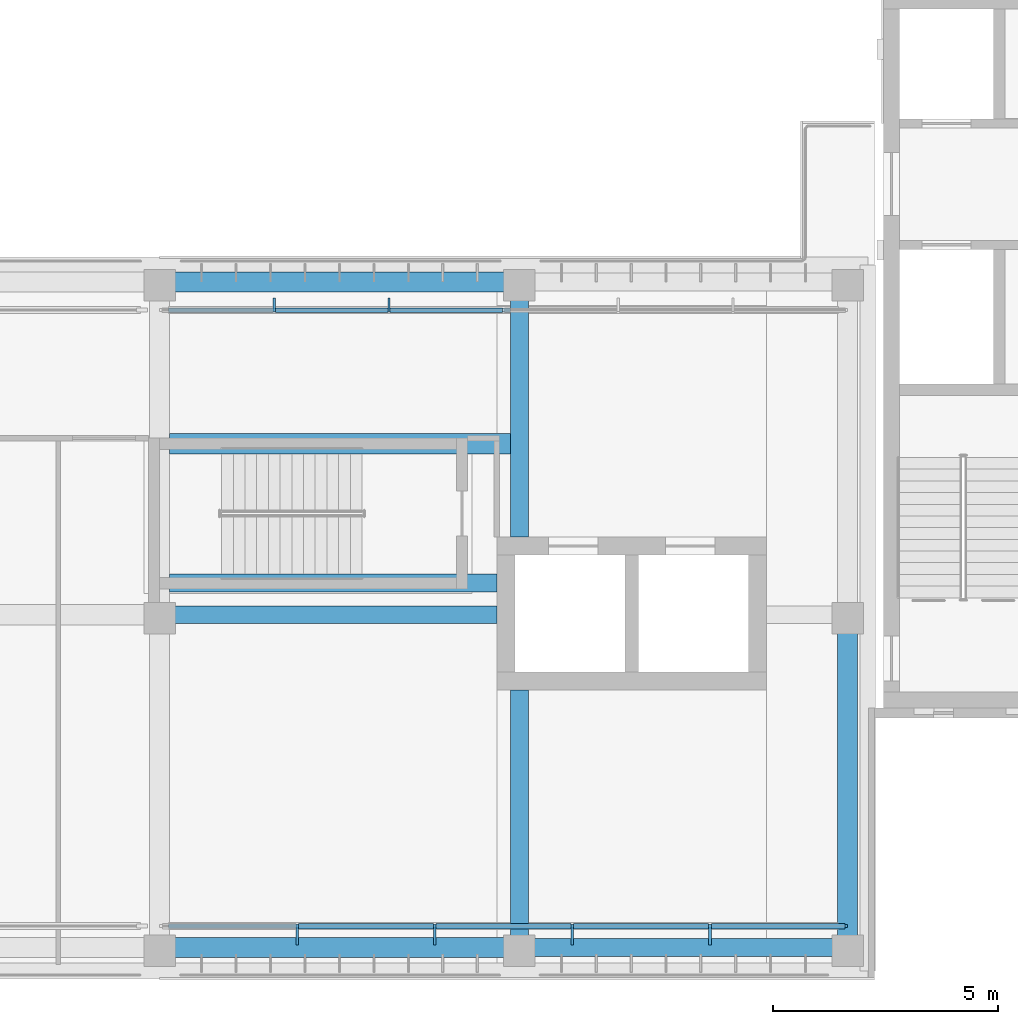
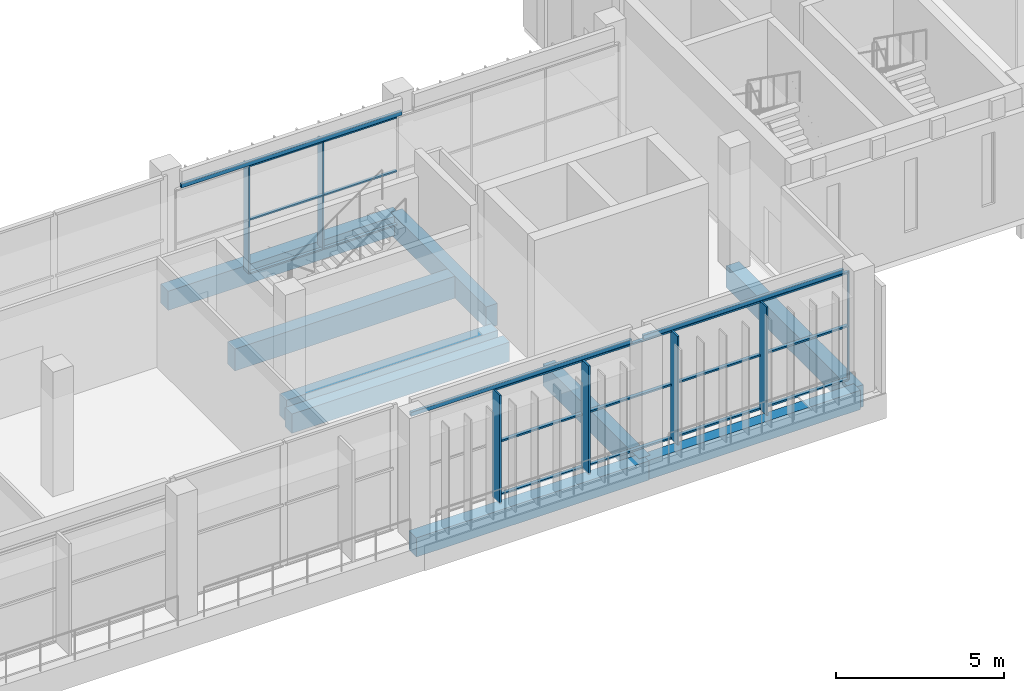
# One storey, part 17 of 46: 25 members, 12 beams, 2 elements without a shape of their own.
"""IFC4 building model written with IfcOpenShell, lengths in metres."""

from ifc_helpers import new_model, si_unit, direction, frame, origin, origin_2d, place, context, subcontext, project, spatial, rectangle, hollow_rectangle, extrude, material, material_profile, profile_set, type_object, element, aggregate, save


model = new_model("IFC4")

# Units and contexts
model_context = context("Model", 3, precision=1e-05, world=origin(), true_north=direction((0.0, 1.0)))
body_context = subcontext(model_context, "Body", "Model", "MODEL_VIEW")
ifc_project = project(units=[si_unit("LENGTHUNIT", "METRE"), si_unit("AREAUNIT", "SQUARE_METRE"), si_unit("VOLUMEUNIT", "CUBIC_METRE"), si_unit("PLANEANGLEUNIT", "RADIAN"), si_unit("MASSUNIT", "GRAM", prefix="KILO")], contexts=[model_context])

# Site, building, storey
site_placement = place(None, origin())
site = spatial("IfcSite", under=ifc_project, at=site_placement, CompositionType="ELEMENT")
building_placement = place(site_placement, origin())
building = spatial("IfcBuilding", under=site, at=building_placement, Name="Lantern Court Media Centre", CompositionType="ELEMENT")
storey_placement = place(building_placement, frame((0.0, 0.0, 28.800048828125)))
storey = spatial("IfcBuildingStorey", under=building, at=storey_placement, Name="L06", CompositionType="ELEMENT", Elevation=28.800048828125)

# Curtain wall, members
ifc_material_1 = material(Name="Curtain wall bay 2400")
curtain_wall_type_1 = type_object("IfcCurtainWallType", Name="Curtain wall bay 2400", PredefinedType="NOTDEFINED", material=ifc_material_1)
curtain_wall_1_placement = place(storey_placement, origin())
curtain_wall_1 = element("IfcCurtainWall", 1, at=curtain_wall_1_placement, inside=storey, type_object=curtain_wall_type_1, Name="Curtain wall S inner L06", PredefinedType="NOTDEFINED")
ifc_material_2 = material(Name="Anodised aluminium", Category="aluminium")
ifc_material_profile_1 = material_profile(ifc_material_2, rectangle(XDim=0.300048828125, YDim=0.050048828125, at=origin_2d()), Name="AL 50x300")
ifc_profile_set_1 = profile_set([ifc_material_profile_1], Name="Anodised aluminium")
member_type_1 = type_object("IfcMemberType", Name="Curtain wall mullion 50x300", PredefinedType="MULLION", material=ifc_profile_set_1)
member_1_placement = place(storey_placement, frame((66.550048828125, 56.969970703125, 0.0), z_axis=(0.0, 0.0, 1.0), x_axis=(0.0, 1.0, 0.0)))
member_1 = element("IfcMember", 2, at=member_1_placement, type_object=member_type_1, Name="CW2 mullion 2", PredefinedType="MULLION", context=body_context, shape_type="SweptSolid", body=[
    extrude(rectangle(XDim=0.300048828125, YDim=0.050048828125, at=origin_2d()), origin(), (0.0, 0.0, 1.0), 3.949951171875),
])
member_2_placement = place(storey_placement, frame((69.10009765625, 56.969970703125, 0.0), z_axis=(0.0, 0.0, 1.0), x_axis=(0.0, 1.0, 0.0)))
member_2 = element("IfcMember", 3, at=member_2_placement, type_object=member_type_1, Name="CW2 mullion 3", PredefinedType="MULLION", context=body_context, shape_type="SweptSolid", body=[
    extrude(rectangle(XDim=0.300048828125, YDim=0.050048828125, at=origin_2d()), origin(), (0.0, 0.0, 1.0), 3.949951171875),
])

ifc_material_3 = material(Name="Curtain wall bay 3000")
curtain_wall_type_2 = type_object("IfcCurtainWallType", Name="Curtain wall bay 3000", PredefinedType="NOTDEFINED", material=ifc_material_3)
curtain_wall_2_placement = place(storey_placement, origin())
curtain_wall_2 = element("IfcCurtainWall", 4, at=curtain_wall_2_placement, inside=storey, type_object=curtain_wall_type_2, Name="Curtain wall S outer L06", PredefinedType="NOTDEFINED")
ifc_material_profile_2 = material_profile(ifc_material_2, rectangle(XDim=0.449951171875, YDim=0.06005859375, at=origin_2d()), Name="AL 60x450")
ifc_profile_set_2 = profile_set([ifc_material_profile_2], Name="Anodised aluminium")
member_type_2 = type_object("IfcMemberType", Name="Curtain wall mullion 60x450", PredefinedType="MULLION", material=ifc_profile_set_2)
member_3_placement = place(storey_placement, frame((67.06005859375, 42.955078125, 0.0), z_axis=(0.0, 0.0, 1.0), x_axis=(0.0, 1.0, 0.0)))
member_3 = element("IfcMember", 5, at=member_3_placement, type_object=member_type_2, Name="CW1 mullion 2", PredefinedType="MULLION", context=body_context, shape_type="SweptSolid", body=[
    extrude(rectangle(XDim=0.449951171875, YDim=0.06005859375, at=origin_2d()), origin(), (0.0, 0.0, 1.0), 3.949951171875),
])
member_4_placement = place(storey_placement, frame((70.1201171875, 42.955078125, 0.0), z_axis=(0.0, 0.0, 1.0), x_axis=(0.0, 1.0, 0.0)))
member_4 = element("IfcMember", 6, at=member_4_placement, type_object=member_type_2, Name="CW1 mullion 3", PredefinedType="MULLION", context=body_context, shape_type="SweptSolid", body=[
    extrude(rectangle(XDim=0.449951171875, YDim=0.06005859375, at=origin_2d()), origin(), (0.0, 0.0, 1.0), 3.949951171875),
])
member_5_placement = place(storey_placement, frame((73.179931640625, 42.955078125, 0.0), z_axis=(0.0, 0.0, 1.0), x_axis=(0.0, 1.0, 0.0)))
member_5 = element("IfcMember", 7, at=member_5_placement, type_object=member_type_2, Name="CW1 mullion 4", PredefinedType="MULLION", context=body_context, shape_type="SweptSolid", body=[
    extrude(rectangle(XDim=0.449951171875, YDim=0.06005859375, at=origin_2d()), origin(), (0.0, 0.0, 1.0), 3.949951171875),
])
member_6_placement = place(storey_placement, frame((76.239990234375, 42.955078125, 0.0), z_axis=(0.0, 0.0, 1.0), x_axis=(0.0, 1.0, 0.0)))
member_6 = element("IfcMember", 8, at=member_6_placement, type_object=member_type_2, Name="CW1 mullion 5", PredefinedType="MULLION", context=body_context, shape_type="SweptSolid", body=[
    extrude(rectangle(XDim=0.449951171875, YDim=0.06005859375, at=origin_2d()), origin(), (0.0, 0.0, 1.0), 3.949951171875),
])
ifc_material_profile_3 = material_profile(ifc_material_2, rectangle(XDim=0.06005859375, YDim=0.06005859375, at=origin_2d()), Name="AL 60x60")
ifc_profile_set_3 = profile_set([ifc_material_profile_3], Name="Anodised aluminium")
member_type_3 = type_object("IfcMemberType", Name="Curtain wall mullion 60x60", PredefinedType="MULLION", material=ifc_profile_set_3)
member_7_placement = place(storey_placement, frame((79.27001953125, 43.14990234375, 0.0), z_axis=(0.0, 0.0, 1.0), x_axis=(0.0, 1.0, 0.0)))
member_7 = element("IfcMember", 9, at=member_7_placement, type_object=member_type_3, Name="CW1 mullion 6", PredefinedType="MULLION", context=body_context, shape_type="SweptSolid", body=[
    extrude(rectangle(XDim=0.06005859375, YDim=0.06005859375, at=origin_2d()), origin(), (0.0, 0.0, 1.0), 3.949951171875),
])

# Member
ifc_material_profile_4 = material_profile(ifc_material_2, rectangle(XDim=0.10009765625, YDim=0.050048828125, at=origin_2d()), Name="AL 50x100")
ifc_profile_set_4 = profile_set([ifc_material_profile_4], Name="Anodised aluminium")
member_type_4 = type_object("IfcMemberType", Name="Curtain wall transom 100x50", PredefinedType="USERDEFINED", material=ifc_profile_set_4)
member_8_placement = place(storey_placement, frame((66.574951171875, 56.85009765625, 0.02490234375), z_axis=(1.0, 0.0, 0.0), x_axis=(0.0, 1.0, 0.0)))
member_8 = element("IfcMember", 10, at=member_8_placement, type_object=member_type_4, Name="CW2 transom 2.1", ObjectType="TRANSOM", PredefinedType="USERDEFINED", context=body_context, shape_type="SweptSolid", body=[
    extrude(rectangle(XDim=0.10009765625, YDim=0.050048828125, at=origin_2d()), origin(), (0.0, 0.0, 1.0), 2.5),
])

member_9_placement = place(storey_placement, frame((66.574951171875, 56.85009765625, 1.974853515625), z_axis=(1.0, 0.0, 0.0), x_axis=(0.0, 1.0, 0.0)))
member_9 = element("IfcMember", 11, at=member_9_placement, type_object=member_type_4, Name="CW2 transom 2.2", ObjectType="TRANSOM", PredefinedType="USERDEFINED", context=body_context, shape_type="SweptSolid", body=[
    extrude(rectangle(XDim=0.10009765625, YDim=0.050048828125, at=origin_2d()), origin(), (0.0, 0.0, 1.0), 2.5),
])

member_10_placement = place(storey_placement, frame((66.574951171875, 56.85009765625, 3.925048828125), z_axis=(1.0, 0.0, 0.0), x_axis=(0.0, 1.0, 0.0)))
member_10 = element("IfcMember", 12, at=member_10_placement, type_object=member_type_4, Name="CW2 transom 2.3", ObjectType="TRANSOM", PredefinedType="USERDEFINED", context=body_context, shape_type="SweptSolid", body=[
    extrude(rectangle(XDim=0.10009765625, YDim=0.050048828125, at=origin_2d()), origin(), (0.0, 0.0, 1.0), 2.5),
])

member_11_placement = place(storey_placement, frame((69.125, 56.85009765625, 0.02490234375), z_axis=(1.0, 0.0, 0.0), x_axis=(0.0, 1.0, 0.0)))
member_11 = element("IfcMember", 13, at=member_11_placement, type_object=member_type_4, Name="CW2 transom 3.1", ObjectType="TRANSOM", PredefinedType="USERDEFINED", context=body_context, shape_type="SweptSolid", body=[
    extrude(rectangle(XDim=0.10009765625, YDim=0.050048828125, at=origin_2d()), origin(), (0.0, 0.0, 1.0), 2.5),
])

member_12_placement = place(storey_placement, frame((69.125, 56.85009765625, 1.974853515625), z_axis=(1.0, 0.0, 0.0), x_axis=(0.0, 1.0, 0.0)))
member_12 = element("IfcMember", 14, at=member_12_placement, type_object=member_type_4, Name="CW2 transom 3.2", ObjectType="TRANSOM", PredefinedType="USERDEFINED", context=body_context, shape_type="SweptSolid", body=[
    extrude(rectangle(XDim=0.10009765625, YDim=0.050048828125, at=origin_2d()), origin(), (0.0, 0.0, 1.0), 2.5),
])

member_13_placement = place(storey_placement, frame((69.125, 56.85009765625, 3.925048828125), z_axis=(1.0, 0.0, 0.0), x_axis=(0.0, 1.0, 0.0)))
member_13 = element("IfcMember", 15, at=member_13_placement, type_object=member_type_4, Name="CW2 transom 3.3", ObjectType="TRANSOM", PredefinedType="USERDEFINED", context=body_context, shape_type="SweptSolid", body=[
    extrude(rectangle(XDim=0.10009765625, YDim=0.050048828125, at=origin_2d()), origin(), (0.0, 0.0, 1.0), 2.5),
])

aggregate(curtain_wall_1, [member_1, member_2, member_8, member_9, member_10, member_11, member_12, member_13])

ifc_material_profile_5 = material_profile(ifc_material_2, rectangle(XDim=0.1201171875, YDim=0.06005859375, at=origin_2d()), Name="AL 60x120")
ifc_profile_set_5 = profile_set([ifc_material_profile_5], Name="Anodised aluminium")
member_type_5 = type_object("IfcMemberType", Name="Curtain wall transom 60x120", PredefinedType="USERDEFINED", material=ifc_profile_set_5)
member_14_placement = place(storey_placement, frame((67.090087890625, 43.14990234375, 0.030029296875), z_axis=(1.0, 0.0, 0.0), x_axis=(0.0, 1.0, 0.0)))
member_14 = element("IfcMember", 16, at=member_14_placement, type_object=member_type_5, Name="CW1 transom 2.1", ObjectType="TRANSOM", PredefinedType="USERDEFINED", context=body_context, shape_type="SweptSolid", body=[
    extrude(rectangle(XDim=0.1201171875, YDim=0.06005859375, at=origin_2d()), origin(), (0.0, 0.0, 1.0), 3.0),
])

member_15_placement = place(storey_placement, frame((67.090087890625, 43.14990234375, 1.974853515625), z_axis=(1.0, 0.0, 0.0), x_axis=(0.0, 1.0, 0.0)))
member_15 = element("IfcMember", 17, at=member_15_placement, type_object=member_type_5, Name="CW1 transom 2.2", ObjectType="TRANSOM", PredefinedType="USERDEFINED", context=body_context, shape_type="SweptSolid", body=[
    extrude(rectangle(XDim=0.1201171875, YDim=0.06005859375, at=origin_2d()), origin(), (0.0, 0.0, 1.0), 3.0),
])

member_16_placement = place(storey_placement, frame((67.090087890625, 43.14990234375, 3.919921875), z_axis=(1.0, 0.0, 0.0), x_axis=(0.0, 1.0, 0.0)))
member_16 = element("IfcMember", 18, at=member_16_placement, type_object=member_type_5, Name="CW1 transom 2.3", ObjectType="TRANSOM", PredefinedType="USERDEFINED", context=body_context, shape_type="SweptSolid", body=[
    extrude(rectangle(XDim=0.1201171875, YDim=0.06005859375, at=origin_2d()), origin(), (0.0, 0.0, 1.0), 3.0),
])

member_17_placement = place(storey_placement, frame((70.14990234375, 43.14990234375, 0.030029296875), z_axis=(1.0, 0.0, 0.0), x_axis=(0.0, 1.0, 0.0)))
member_17 = element("IfcMember", 19, at=member_17_placement, type_object=member_type_5, Name="CW1 transom 3.1", ObjectType="TRANSOM", PredefinedType="USERDEFINED", context=body_context, shape_type="SweptSolid", body=[
    extrude(rectangle(XDim=0.1201171875, YDim=0.06005859375, at=origin_2d()), origin(), (0.0, 0.0, 1.0), 3.0),
])

member_18_placement = place(storey_placement, frame((70.14990234375, 43.14990234375, 1.974853515625), z_axis=(1.0, 0.0, 0.0), x_axis=(0.0, 1.0, 0.0)))
member_18 = element("IfcMember", 20, at=member_18_placement, type_object=member_type_5, Name="CW1 transom 3.2", ObjectType="TRANSOM", PredefinedType="USERDEFINED", context=body_context, shape_type="SweptSolid", body=[
    extrude(rectangle(XDim=0.1201171875, YDim=0.06005859375, at=origin_2d()), origin(), (0.0, 0.0, 1.0), 3.0),
])

member_19_placement = place(storey_placement, frame((70.14990234375, 43.14990234375, 3.919921875), z_axis=(1.0, 0.0, 0.0), x_axis=(0.0, 1.0, 0.0)))
member_19 = element("IfcMember", 21, at=member_19_placement, type_object=member_type_5, Name="CW1 transom 3.3", ObjectType="TRANSOM", PredefinedType="USERDEFINED", context=body_context, shape_type="SweptSolid", body=[
    extrude(rectangle(XDim=0.1201171875, YDim=0.06005859375, at=origin_2d()), origin(), (0.0, 0.0, 1.0), 3.0),
])

member_20_placement = place(storey_placement, frame((73.2099609375, 43.14990234375, 0.030029296875), z_axis=(1.0, 0.0, 0.0), x_axis=(0.0, 1.0, 0.0)))
member_20 = element("IfcMember", 22, at=member_20_placement, type_object=member_type_5, Name="CW1 transom 4.1", ObjectType="TRANSOM", PredefinedType="USERDEFINED", context=body_context, shape_type="SweptSolid", body=[
    extrude(rectangle(XDim=0.1201171875, YDim=0.06005859375, at=origin_2d()), origin(), (0.0, 0.0, 1.0), 3.0),
])

member_21_placement = place(storey_placement, frame((73.2099609375, 43.14990234375, 1.974853515625), z_axis=(1.0, 0.0, 0.0), x_axis=(0.0, 1.0, 0.0)))
member_21 = element("IfcMember", 23, at=member_21_placement, type_object=member_type_5, Name="CW1 transom 4.2", ObjectType="TRANSOM", PredefinedType="USERDEFINED", context=body_context, shape_type="SweptSolid", body=[
    extrude(rectangle(XDim=0.1201171875, YDim=0.06005859375, at=origin_2d()), origin(), (0.0, 0.0, 1.0), 3.0),
])

member_22_placement = place(storey_placement, frame((73.2099609375, 43.14990234375, 3.919921875), z_axis=(1.0, 0.0, 0.0), x_axis=(0.0, 1.0, 0.0)))
member_22 = element("IfcMember", 24, at=member_22_placement, type_object=member_type_5, Name="CW1 transom 4.3", ObjectType="TRANSOM", PredefinedType="USERDEFINED", context=body_context, shape_type="SweptSolid", body=[
    extrude(rectangle(XDim=0.1201171875, YDim=0.06005859375, at=origin_2d()), origin(), (0.0, 0.0, 1.0), 3.0),
])

member_23_placement = place(storey_placement, frame((76.27001953125, 43.14990234375, 0.030029296875), z_axis=(1.0, 0.0, 0.0), x_axis=(0.0, 1.0, 0.0)))
member_23 = element("IfcMember", 25, at=member_23_placement, type_object=member_type_5, Name="CW1 transom 5.1", ObjectType="TRANSOM", PredefinedType="USERDEFINED", context=body_context, shape_type="SweptSolid", body=[
    extrude(rectangle(XDim=0.1201171875, YDim=0.06005859375, at=origin_2d()), origin(), (0.0, 0.0, 1.0), 2.969970703125),
])

member_24_placement = place(storey_placement, frame((76.27001953125, 43.14990234375, 1.974853515625), z_axis=(1.0, 0.0, 0.0), x_axis=(0.0, 1.0, 0.0)))
member_24 = element("IfcMember", 26, at=member_24_placement, type_object=member_type_5, Name="CW1 transom 5.2", ObjectType="TRANSOM", PredefinedType="USERDEFINED", context=body_context, shape_type="SweptSolid", body=[
    extrude(rectangle(XDim=0.1201171875, YDim=0.06005859375, at=origin_2d()), origin(), (0.0, 0.0, 1.0), 2.969970703125),
])

member_25_placement = place(storey_placement, frame((76.27001953125, 43.14990234375, 3.919921875), z_axis=(1.0, 0.0, 0.0), x_axis=(0.0, 1.0, 0.0)))
member_25 = element("IfcMember", 27, at=member_25_placement, type_object=member_type_5, Name="CW1 transom 5.3", ObjectType="TRANSOM", PredefinedType="USERDEFINED", context=body_context, shape_type="SweptSolid", body=[
    extrude(rectangle(XDim=0.1201171875, YDim=0.06005859375, at=origin_2d()), origin(), (0.0, 0.0, 1.0), 2.969970703125),
])

aggregate(curtain_wall_2, [member_3, member_4, member_5, member_6, member_7, member_14, member_15, member_16, member_17, member_18, member_19, member_20, member_21, member_22, member_23, member_24, member_25])

# Beams
ifc_material_4 = material(Name="Steel S355J2 (EN 10025-2)", Category="steel")
ifc_material_profile_6 = material_profile(ifc_material_4, hollow_rectangle(XDim=0.10009765625, YDim=0.14990234375, WallThickness=0.00634765625, InnerFilletRadius=0.00634765625, OuterFilletRadius=0.009521484375, at=origin_2d()), Name="Facade head lintel RHS 150x100x6.3")
ifc_profile_set_6 = profile_set([ifc_material_profile_6], Name="Steel S355J2 (EN 10025-2)")
beam_type_1 = type_object("IfcBeamType", Name="Facade head lintel RHS 150x100x6.3", PredefinedType="BEAM", material=ifc_profile_set_6)
beam_1_placement = place(storey_placement, frame((64.199951171875, 43.14990234375, 4.02490234375), z_axis=(1.0, 0.0, 0.0), x_axis=(0.0, 1.0, 0.0)))
element("IfcBeam", 28, at=beam_1_placement, inside=storey, type_object=beam_type_1, Name="Facade head lintel S L06", PredefinedType="BEAM", context=body_context, shape_type="SweptSolid", body=[
    extrude(hollow_rectangle(XDim=0.10009765625, YDim=0.14990234375, WallThickness=0.00634765625, InnerFilletRadius=0.00634765625, OuterFilletRadius=0.009521484375, at=origin_2d()), origin(), (0.0, 0.0, 1.0), 7.60009765625),
])
beam_2_placement = place(storey_placement, frame((72.199951171875, 43.14990234375, 4.02490234375), z_axis=(1.0, 0.0, 0.0), x_axis=(0.0, 1.0, 0.0)))
element("IfcBeam", 29, at=beam_2_placement, inside=storey, type_object=beam_type_1, Name="Facade head lintel S L06", PredefinedType="BEAM", context=body_context, shape_type="SweptSolid", body=[
    extrude(hollow_rectangle(XDim=0.10009765625, YDim=0.14990234375, WallThickness=0.00634765625, InnerFilletRadius=0.00634765625, OuterFilletRadius=0.009521484375, at=origin_2d()), origin(), (0.0, 0.0, 1.0), 6.900146484375),
])
beam_3_placement = place(storey_placement, frame((64.199951171875, 56.85009765625, 4.02490234375), z_axis=(1.0, 0.0, 0.0), x_axis=(0.0, 1.0, 0.0)))
element("IfcBeam", 30, at=beam_3_placement, inside=storey, type_object=beam_type_1, Name="Facade head lintel S L06", PredefinedType="BEAM", context=body_context, shape_type="SweptSolid", body=[
    extrude(hollow_rectangle(XDim=0.10009765625, YDim=0.14990234375, WallThickness=0.00634765625, InnerFilletRadius=0.00634765625, OuterFilletRadius=0.009521484375, at=origin_2d()), origin(), (0.0, 0.0, 1.0), 7.60009765625),
])
ifc_material_5 = material(Name="Concrete C35", Category="concrete")
ifc_material_profile_7 = material_profile(ifc_material_5, rectangle(XDim=0.39990234375, YDim=0.699951171875, at=origin_2d()), Name="RC 400x700")
ifc_profile_set_7 = profile_set([ifc_material_profile_7], Name="Concrete C35")
beam_type_2 = type_object("IfcBeamType", Name="RC BEAM 400x700", PredefinedType="BEAM", material=ifc_profile_set_7)
beam_4_placement = place(storey_placement, frame((72.0, 42.6728515625, -0.35009765625), z_axis=(1.0, 0.0, 0.0), x_axis=(0.0, 1.0, 0.0)))
element("IfcBeam", 31, at=beam_4_placement, inside=storey, type_object=beam_type_2, Name="LB-S-L06-0-6", PredefinedType="BEAM", context=body_context, shape_type="SweptSolid", body=[
    extrude(rectangle(XDim=0.39990234375, YDim=0.699951171875, at=origin_2d()), origin(), (0.0, 0.0, 1.0), 7.300048828125),
])
beam_5_placement = place(storey_placement, frame((64.0, 50.072998046875, -0.35009765625), z_axis=(1.0, 0.0, 0.0), x_axis=(0.0, 1.0, 0.0)))
element("IfcBeam", 32, at=beam_5_placement, inside=storey, type_object=beam_type_2, Name="LB-S-L06-1-5", PredefinedType="BEAM", context=body_context, shape_type="SweptSolid", body=[
    extrude(rectangle(XDim=0.39990234375, YDim=0.699951171875, at=origin_2d()), origin(), (0.0, 0.0, 1.0), 7.5),
])
ifc_material_profile_8 = material_profile(ifc_material_5, rectangle(XDim=0.39990234375, YDim=0.800048828125, at=origin_2d()), Name="RC 400x800")
ifc_profile_set_8 = profile_set([ifc_material_profile_8], Name="Concrete C35")
beam_type_3 = type_object("IfcBeamType", Name="RC BEAM 400x800", PredefinedType="BEAM", material=ifc_profile_set_8)
beam_6_placement = place(storey_placement, frame((72.0, 42.683349609375, -0.400146484375), z_axis=(0.0, 1.0, 0.0), x_axis=(-1.0, 0.0, 0.0)))
element("IfcBeam", 33, at=beam_6_placement, inside=storey, type_object=beam_type_3, Name="TB-S-L06-6-1", PredefinedType="BEAM", context=body_context, shape_type="SweptSolid", body=[
    extrude(rectangle(XDim=0.39990234375, YDim=0.800048828125, at=origin_2d()), origin(), (0.0, 0.0, 1.0), 5.716552734375),
])
beam_7_placement = place(storey_placement, frame((72.0, 51.800048828125, -0.400146484375), z_axis=(0.0, 1.0, 0.0), x_axis=(-1.0, 0.0, 0.0)))
element("IfcBeam", 34, at=beam_7_placement, inside=storey, type_object=beam_type_3, Name="TB-S-L06-6-11", PredefinedType="BEAM", context=body_context, shape_type="SweptSolid", body=[
    extrude(rectangle(XDim=0.39990234375, YDim=0.800048828125, at=origin_2d()), origin(), (0.0, 0.0, 1.0), 5.683349609375),
])
beam_8_placement = place(storey_placement, frame((71.5, 50.77490234375, -0.400146484375), z_axis=(-1.0, 0.0, 0.0), x_axis=(0.0, -1.0, 0.0)))
element("IfcBeam", 35, at=beam_8_placement, inside=storey, type_object=beam_type_3, Name="WB-V3-ST-E-L06-S", PredefinedType="BEAM", context=body_context, shape_type="SweptSolid", body=[
    extrude(rectangle(XDim=0.39990234375, YDim=0.800048828125, at=origin_2d()), origin(), (0.0, 0.0, 1.0), 7.280029296875),
])
ifc_material_profile_9 = material_profile(ifc_material_5, rectangle(XDim=0.449951171875, YDim=0.699951171875, at=origin_2d()), Name="RC 450x700")
ifc_profile_set_9 = profile_set([ifc_material_profile_9], Name="Concrete C35")
beam_type_4 = type_object("IfcBeamType", Name="RC BEAM 450x700", PredefinedType="BEAM", material=ifc_profile_set_9)
for number, where, z_axis, x_axis, name in (
    (36, (64.0, 42.6728515625, -0.35009765625), (1.0, 0.0, 0.0), (0.0, 1.0, 0.0), "LB-S-L06-0-5"),
    (37, (64.0, 57.472900390625, -0.35009765625), (1.0, 0.0, 0.0), (0.0, 1.0, 0.0), "LB-S-L06-2-5"),
):
    element("IfcBeam", number, at=place(storey_placement, frame(where, z_axis=z_axis, x_axis=x_axis)), inside=storey, type_object=beam_type_4, Name=name, PredefinedType="BEAM", context=body_context, shape_type="SweptSolid", body=[
        extrude(rectangle(XDim=0.449951171875, YDim=0.699951171875, at=origin_2d()), origin(), (0.0, 0.0, 1.0), 8.0),
    ])
ifc_material_profile_10 = material_profile(ifc_material_5, rectangle(XDim=0.449951171875, YDim=0.800048828125, at=origin_2d()), Name="RC 450x800")
ifc_profile_set_10 = profile_set([ifc_material_profile_10], Name="Concrete C35")
beam_type_5 = type_object("IfcBeamType", Name="RC BEAM 450x800", PredefinedType="BEAM", material=ifc_profile_set_10)
beam_9_placement = place(storey_placement, frame((79.300048828125, 42.683349609375, -0.400146484375), z_axis=(0.0, 1.0, 0.0), x_axis=(-1.0, 0.0, 0.0)))
element("IfcBeam", 38, at=beam_9_placement, inside=storey, type_object=beam_type_5, Name="TB-S-L06-7-1", PredefinedType="BEAM", context=body_context, shape_type="SweptSolid", body=[
    extrude(rectangle(XDim=0.449951171875, YDim=0.800048828125, at=origin_2d()), origin(), (0.0, 0.0, 1.0), 7.39990234375),
])
beam_10_placement = place(storey_placement, frame((71.800048828125, 53.875, -0.400146484375), z_axis=(-1.0, 0.0, 0.0), x_axis=(0.0, -1.0, 0.0)))
element("IfcBeam", 39, at=beam_10_placement, inside=storey, type_object=beam_type_5, Name="WB-V3-ST-E-L06-N", PredefinedType="BEAM", context=body_context, shape_type="SweptSolid", body=[
    extrude(rectangle(XDim=0.449951171875, YDim=0.800048828125, at=origin_2d()), origin(), (0.0, 0.0, 1.0), 7.580078125),
])

save(model, "model.ifc")
